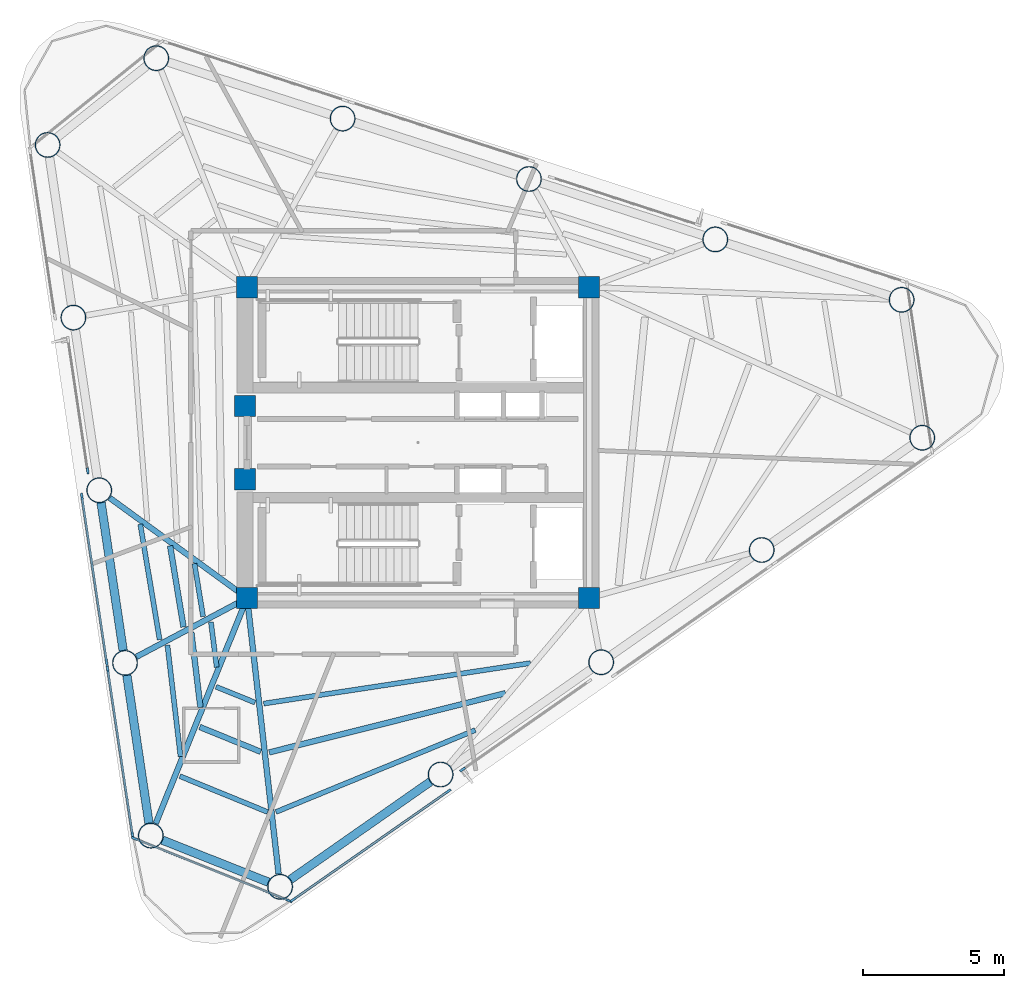
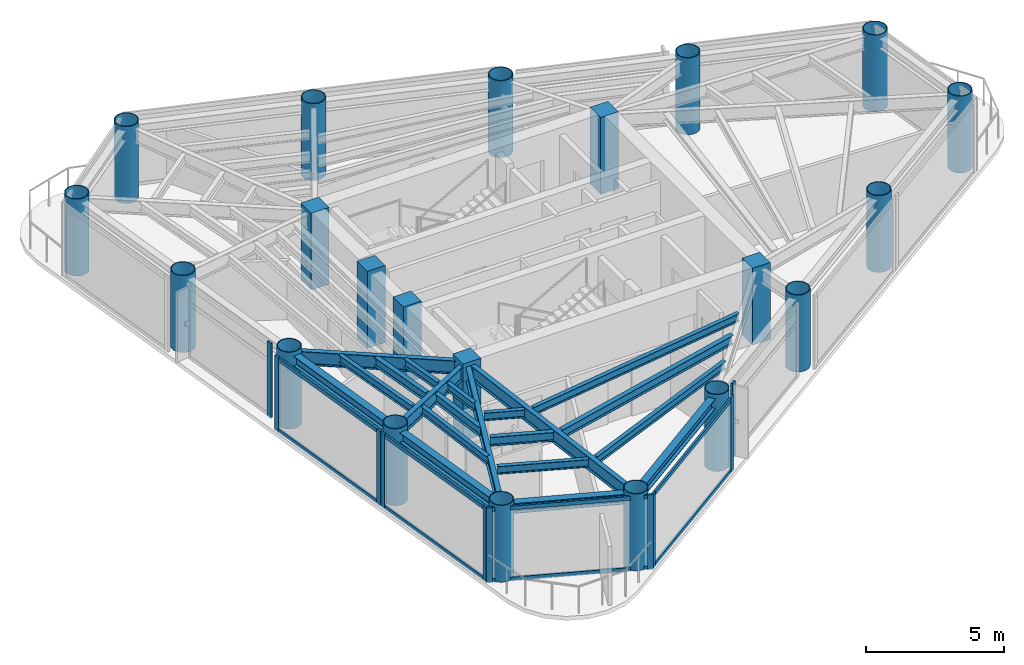
# One storey, part 1 of 9: 21 columns, 20 beams, 18 members, 6 elements without a shape of their own.
"""IFC4 building model written with IfcOpenShell, lengths in metres."""

from ifc_helpers import new_model, si_unit, direction, frame, origin, origin_2d, place, context, subcontext, project, spatial, rectangle, hollow_circle, i_section, extrude, source, transform, mapped, material, layer, layer_set, material_profile, profile_set, type_object, element, aggregate, save


model = new_model("IFC4")

# Units and contexts
model_context = context("Model", 3, precision=1e-05, world=origin(), true_north=direction((0.0, 1.0)))
body_context = subcontext(model_context, "Body", "Model", "MODEL_VIEW")
ifc_project = project(units=[si_unit("LENGTHUNIT", "METRE"), si_unit("AREAUNIT", "SQUARE_METRE"), si_unit("VOLUMEUNIT", "CUBIC_METRE"), si_unit("PLANEANGLEUNIT", "RADIAN"), si_unit("MASSUNIT", "GRAM", prefix="KILO")], contexts=[model_context])

# Site, building, storey
site_placement = place(None, origin())
site = spatial("IfcSite", under=ifc_project, at=site_placement, CompositionType="ELEMENT")
building_placement = place(site_placement, origin())
building = spatial("IfcBuilding", under=site, at=building_placement, Name="Yunling Apex Tower", CompositionType="ELEMENT")
storey_placement = place(building_placement, frame((0.0, 0.0, 271.14990234375)))
storey = spatial("IfcBuildingStorey", under=building, at=storey_placement, Name="L66", CompositionType="ELEMENT", Elevation=271.14990234375)

# Columns
ifc_material_1 = material(Name="Concrete C50", Category="concrete")
ifc_material_profile_1 = material_profile(ifc_material_1, rectangle(XDim=0.75, YDim=0.75, at=origin_2d()))
ifc_profile_set_1 = profile_set([ifc_material_profile_1], Name="Concrete C50")
column_type_1 = type_object("IfcColumnType", Name="PC-SRC-4", PredefinedType="COLUMN", material=ifc_profile_set_1)
shared_shape_1 = source(origin(), body_context, "Body", "SweptSolid", [
    extrude(rectangle(XDim=0.75, YDim=0.75, at=origin_2d()), origin(), (0.0, 0.0, 1.0), 3.400146484375),
])
for number, where, z_axis, x_axis, name in (
    (1, (-6.050048828125, -5.5, 0.0), (0.0, 0.0, 1.0), (1.0, 0.0, 0.0), "L66 Core Spine Column CC-SW"),
    (2, (6.050048828125, -5.5, 0.0), (0.0, 0.0, 1.0), (1.0, 0.0, 0.0), "L66 Core Spine Column CC-SE"),
    (3, (6.050048828125, 5.5, 0.0), (0.0, 0.0, 1.0), (1.0, 0.0, 0.0), "L66 Core Spine Column CC-NE"),
    (4, (-6.050048828125, 5.5, 0.0), (0.0, 0.0, 1.0), (1.0, 0.0, 0.0), "L66 Core Spine Column CC-NW"),
    (5, (-6.125, -1.300048828125, 0.0), (0.0, 0.0, 1.0), (1.0, 0.0, 0.0), "L66 Core West Portal Jamb Column S"),
    (6, (-6.125, 1.300048828125, 0.0), (0.0, 0.0, 1.0), (1.0, 0.0, 0.0), "L66 Core West Portal Jamb Column N"),
):
    element("IfcColumn", number, at=place(storey_placement, frame(where, z_axis=z_axis, x_axis=x_axis)), inside=storey, type_object=column_type_1, Name=name, PredefinedType="COLUMN", context=body_context, shape_type="MappedRepresentation", body=[
        mapped(shared_shape_1, transform((0.0, 0.0, 0.0), scale=1.0)),
    ])
ifc_material_2 = material(Name="Steel Q355B", Category="steel")
ifc_material_profile_2 = material_profile(ifc_material_2, hollow_circle(Radius=0.449951171875, WallThickness=0.031982421875, at=origin_2d()))
ifc_profile_set_2 = profile_set([ifc_material_profile_2], Name="Steel Q355B")
column_type_2 = type_object("IfcColumnType", Name="MC-CFST-6", PredefinedType="COLUMN", material=ifc_profile_set_2)
shared_shape_2 = source(origin(), body_context, "Body", "SweptSolid", [
    extrude(hollow_circle(Radius=0.449951171875, WallThickness=0.031982421875, at=origin_2d()), origin(), (0.0, 0.0, 1.0), 3.400146484375),
])
for number, where, z_axis, x_axis, name in (
    (7, (-4.8837890625, -15.716796875, 0.0), (0.0, 0.0, 1.0), (1.0, 0.0, 0.0), "L66 Perimeter CFST Mega-Column P01"),
    (8, (0.797119140625, -11.744873046875, 0.0), (0.0, 0.0, 1.0), (1.0, 0.0, 0.0), "L66 Perimeter CFST Mega-Column P02"),
    (9, (6.47802734375, -7.77294921875, 0.0), (0.0, 0.0, 1.0), (1.0, 0.0, 0.0), "L66 Perimeter CFST Mega-Column P03"),
    (10, (12.15869140625, -3.801025390625, 0.0), (0.0, 0.0, 1.0), (1.0, 0.0, 0.0), "L66 Perimeter CFST Mega-Column P04"),
    (11, (17.839599609375, 0.1708984375, 0.0), (0.0, 0.0, 1.0), (1.0, 0.0, 0.0), "L66 Perimeter CFST Mega-Column P05"),
    (12, (17.110107421875, 5.052490234375, 0.0), (0.0, 0.0, 1.0), (1.0, 0.0, 0.0), "L66 Perimeter CFST Mega-Column P06"),
    (13, (10.51611328125, 7.18994140625, 0.0), (0.0, 0.0, 1.0), (1.0, 0.0, 0.0), "L66 Perimeter CFST Mega-Column P07"),
    (14, (3.92236328125, 9.327392578125, 0.0), (0.0, 0.0, 1.0), (1.0, 0.0, 0.0), "L66 Perimeter CFST Mega-Column P08"),
    (15, (-2.671630859375, 11.46484375, 0.0), (0.0, 0.0, 1.0), (1.0, 0.0, 0.0), "L66 Perimeter CFST Mega-Column P09"),
    (16, (-9.265625, 13.602294921875, 0.0), (0.0, 0.0, 1.0), (1.0, 0.0, 0.0), "L66 Perimeter CFST Mega-Column P10"),
    (17, (-13.10986328125, 10.532470703125, 0.0), (0.0, 0.0, 1.0), (1.0, 0.0, 0.0), "L66 Perimeter CFST Mega-Column P11"),
    (18, (-12.19677734375, 4.423095703125, 0.0), (0.0, 0.0, 1.0), (1.0, 0.0, 0.0), "L66 Perimeter CFST Mega-Column P12"),
    (19, (-11.28369140625, -1.686279296875, 0.0), (0.0, 0.0, 1.0), (1.0, 0.0, 0.0), "L66 Perimeter CFST Mega-Column P13"),
    (20, (-10.37060546875, -7.7958984375, 0.0), (0.0, 0.0, 1.0), (1.0, 0.0, 0.0), "L66 Perimeter CFST Mega-Column P14"),
    (21, (-9.45751953125, -13.9052734375, 0.0), (0.0, 0.0, 1.0), (1.0, 0.0, 0.0), "L66 Perimeter CFST Mega-Column P15"),
):
    element("IfcColumn", number, at=place(storey_placement, frame(where, z_axis=z_axis, x_axis=x_axis)), inside=storey, type_object=column_type_2, Name=name, PredefinedType="COLUMN", context=body_context, shape_type="MappedRepresentation", body=[
        mapped(shared_shape_2, transform((0.0, 0.0, 0.0), scale=1.0)),
    ])

# Beams
ifc_material_profile_3 = material_profile(ifc_material_2, i_section(OverallWidth=0.300048828125, OverallDepth=0.43994140625, WebThickness=0.010986328125, FlangeThickness=0.01806640625, FilletRadius=0.02197265625, at=origin_2d()))
ifc_profile_set_3 = profile_set([ifc_material_profile_3], Name="Steel Q355B")
beam_type_1 = type_object("IfcBeamType", Name="BP-SPN-3", PredefinedType="SPANDREL", material=ifc_profile_set_3)
shared_shape_3 = source(origin(), body_context, "Body", "SweptSolid", [
    extrude(i_section(OverallWidth=0.300048828125, OverallDepth=0.43994140625, WebThickness=0.010986328125, FlangeThickness=0.01806640625, FilletRadius=0.02197265625, at=origin_2d()), origin(), (0.0, 0.0, 1.0), 6.043701171875),
])
beam_1_placement = place(storey_placement, frame((-4.52001953125, -15.46240234375, 3.0), z_axis=(0.819546828705, 0.5730122124, 0.0), x_axis=(-0.5730122124, 0.819546828705, 0.0)))
element("IfcBeam", 22, at=beam_1_placement, inside=storey, type_object=beam_type_1, Name="L66 Perimeter Spandrel Beam 1", PredefinedType="SPANDREL", context=body_context, shape_type="MappedRepresentation", body=[
    mapped(shared_shape_3, transform((0.0, 0.0, 0.0), scale=1.0)),
])
shared_shape_4 = source(origin(), body_context, "Body", "SweptSolid", [
    extrude(i_section(OverallWidth=0.300048828125, OverallDepth=0.43994140625, WebThickness=0.010986328125, FlangeThickness=0.01806640625, FilletRadius=0.02197265625, at=origin_2d()), origin(), (0.0, 0.0, 1.0), 5.289306640625),
])
for number, where, z_axis, x_axis, name in (
    (23, (-11.218017578125, -2.12548828125, 3.0), (0.147796471114, -0.989017797174, 0.0), (0.989017797174, 0.147796471114, 0.0), "L66 Perimeter Spandrel Beam 13"),
    (24, (-10.304931640625, -8.23486328125, 3.0), (0.147796471114, -0.989017797174, 0.0), (0.989017797174, 0.147796471114, 0.0), "L66 Perimeter Spandrel Beam 14"),
):
    element("IfcBeam", number, at=place(storey_placement, frame(where, z_axis=z_axis, x_axis=x_axis)), inside=storey, type_object=beam_type_1, Name=name, PredefinedType="SPANDREL", context=body_context, shape_type="MappedRepresentation", body=[
        mapped(shared_shape_4, transform((0.0, 0.0, 0.0), scale=1.0)),
    ])
shared_shape_5 = source(origin(), body_context, "Body", "SweptSolid", [
    extrude(i_section(OverallWidth=0.300048828125, OverallDepth=0.43994140625, WebThickness=0.010986328125, FlangeThickness=0.01806640625, FilletRadius=0.02197265625, at=origin_2d()), origin(), (0.0, 0.0, 1.0), 4.03173828125),
])
beam_2_placement = place(storey_placement, frame((-9.044921875, -14.068603515625, 3.0), z_axis=(0.92970771396, -0.368298203368, 0.0), x_axis=(0.368298203368, 0.92970771396, 0.0)))
element("IfcBeam", 25, at=beam_2_placement, inside=storey, type_object=beam_type_1, Name="L66 Perimeter Spandrel Beam 15", PredefinedType="SPANDREL", context=body_context, shape_type="MappedRepresentation", body=[
    mapped(shared_shape_5, transform((0.0, 0.0, 0.0), scale=1.0)),
])
ifc_material_profile_4 = material_profile(ifc_material_2, i_section(OverallWidth=0.199951171875, OverallDepth=0.60009765625, WebThickness=0.010986328125, FlangeThickness=0.01708984375, FilletRadius=0.02197265625, at=origin_2d()))
ifc_profile_set_4 = profile_set([ifc_material_profile_4], Name="Steel Q355B")
beam_type_2 = type_object("IfcBeamType", Name="BG-PRI-5", PredefinedType="USERDEFINED", material=ifc_profile_set_4)
shared_shape_6 = source(origin(), body_context, "Body", "SweptSolid", [
    extrude(i_section(OverallWidth=0.199951171875, OverallDepth=0.60009765625, WebThickness=0.010986328125, FlangeThickness=0.01708984375, FilletRadius=0.02197265625, at=origin_2d()), origin(), (0.0, 0.0, 1.0), 9.745361328125),
])
beam_3_placement = place(storey_placement, frame((-4.935791015625, -15.261962890625, 2.920166015625), z_axis=(-0.11341163891, 0.993548086486, 0.0), x_axis=(-0.993548086486, -0.11341163891, 0.0)))
element("IfcBeam", 26, at=beam_3_placement, inside=storey, type_object=beam_type_2, Name="L66 Radial Primary Girder R01", ObjectType="GIRDER", PredefinedType="USERDEFINED", context=body_context, shape_type="MappedRepresentation", body=[
    mapped(shared_shape_6, transform((0.0, 0.0, 0.0), scale=1.0)),
])
shared_shape_7 = source(origin(), body_context, "Body", "SweptSolid", [
    extrude(i_section(OverallWidth=0.199951171875, OverallDepth=0.60009765625, WebThickness=0.010986328125, FlangeThickness=0.01708984375, FilletRadius=0.02197265625, at=origin_2d()), origin(), (0.0, 0.0, 1.0), 5.937744140625),
])
beam_4_placement = place(storey_placement, frame((-10.91357421875, -1.9560546875, 2.920166015625), z_axis=(0.808193442209, -0.588917107894, 0.0), x_axis=(0.588917107894, 0.808193442209, 0.0)))
element("IfcBeam", 27, at=beam_4_placement, inside=storey, type_object=beam_type_2, Name="L66 Radial Primary Girder R13", ObjectType="GIRDER", PredefinedType="USERDEFINED", context=body_context, shape_type="MappedRepresentation", body=[
    mapped(shared_shape_7, transform((0.0, 0.0, 0.0), scale=1.0)),
])
shared_shape_8 = source(origin(), body_context, "Body", "SweptSolid", [
    extrude(i_section(OverallWidth=0.199951171875, OverallDepth=0.60009765625, WebThickness=0.010986328125, FlangeThickness=0.01708984375, FilletRadius=0.02197265625, at=origin_2d()), origin(), (0.0, 0.0, 1.0), 4.354736328125),
])
beam_5_placement = place(storey_placement, frame((-9.96630859375, -7.580810546875, 2.920166015625), z_axis=(0.883098298021, 0.469188017784, 0.0), x_axis=(-0.469188017784, 0.883098298021, 0.0)))
element("IfcBeam", 28, at=beam_5_placement, inside=storey, type_object=beam_type_2, Name="L66 Radial Primary Girder R14", ObjectType="GIRDER", PredefinedType="USERDEFINED", context=body_context, shape_type="MappedRepresentation", body=[
    mapped(shared_shape_8, transform((0.0, 0.0, 0.0), scale=1.0)),
])
shared_shape_9 = source(origin(), body_context, "Body", "SweptSolid", [
    extrude(i_section(OverallWidth=0.199951171875, OverallDepth=0.60009765625, WebThickness=0.010986328125, FlangeThickness=0.01708984375, FilletRadius=0.02197265625, at=origin_2d()), origin(), (0.0, 0.0, 1.0), 8.531494140625),
])
beam_6_placement = place(storey_placement, frame((-9.285400390625, -13.480712890625, 2.920166015625), z_axis=(0.375703780252, 0.926739806798, 0.0), x_axis=(-0.926739806798, 0.375703780252, 0.0)))
element("IfcBeam", 29, at=beam_6_placement, inside=storey, type_object=beam_type_2, Name="L66 Radial Primary Girder R15", ObjectType="GIRDER", PredefinedType="USERDEFINED", context=body_context, shape_type="MappedRepresentation", body=[
    mapped(shared_shape_9, transform((0.0, 0.0, 0.0), scale=1.0)),
])
ifc_material_profile_5 = material_profile(ifc_material_2, i_section(OverallWidth=0.199951171875, OverallDepth=0.39990234375, WebThickness=0.008056640625, FlangeThickness=0.012939453125, FilletRadius=0.01611328125, at=origin_2d()))
ifc_profile_set_5 = profile_set([ifc_material_profile_5], Name="Steel Q355B")
beam_type_3 = type_object("IfcBeamType", Name="BS-SEC-4", PredefinedType="BEAM", material=ifc_profile_set_5)
shared_shape_10 = source(origin(), body_context, "Body", "SweptSolid", [
    extrude(i_section(OverallWidth=0.199951171875, OverallDepth=0.39990234375, WebThickness=0.008056640625, FlangeThickness=0.012939453125, FilletRadius=0.01611328125, at=origin_2d()), origin(), (0.0, 0.0, 1.0), 8.62109375),
])
beam_7_placement = place(storey_placement, frame((-5.266845703125, -10.962646484375, 3.02001953125), z_axis=(0.96999740229, 0.243115280374, 0.0), x_axis=(-0.243115280374, 0.96999740229, 0.0)))
element("IfcBeam", 30, at=beam_7_placement, inside=storey, type_object=beam_type_3, Name="L66 Composite Floor Beam BS-1", PredefinedType="BEAM", context=body_context, shape_type="MappedRepresentation", body=[
    mapped(shared_shape_10, transform((0.0, 0.0, 0.0), scale=1.0)),
])
ifc_material_profile_6 = material_profile(ifc_material_2, i_section(OverallWidth=0.175048828125, OverallDepth=0.35009765625, WebThickness=0.007080078125, FlangeThickness=0.010986328125, FilletRadius=0.013916015625, at=origin_2d()))
ifc_profile_set_6 = profile_set([ifc_material_profile_6], Name="Steel Q355B")
beam_type_4 = type_object("IfcBeamType", Name="BJ-JST-1", PredefinedType="JOIST", material=ifc_profile_set_6)
shared_shape_11 = source(origin(), body_context, "Body", "SweptSolid", [
    extrude(i_section(OverallWidth=0.175048828125, OverallDepth=0.35009765625, WebThickness=0.007080078125, FlangeThickness=0.010986328125, FilletRadius=0.013916015625, at=origin_2d()), origin(), (0.0, 0.0, 1.0), 7.626953125),
])
beam_8_placement = place(storey_placement, frame((-5.031005859375, -13.071044921875, 3.045166015625), z_axis=(0.924936429691, 0.380121823934, 0.0), x_axis=(-0.380121823934, 0.924936429691, 0.0)))
element("IfcBeam", 31, at=beam_8_placement, inside=storey, type_object=beam_type_4, Name="L66 Composite Floor Joist BJ1-1", PredefinedType="JOIST", context=body_context, shape_type="MappedRepresentation", body=[
    mapped(shared_shape_11, transform((0.0, 0.0, 0.0), scale=1.0)),
])
shared_shape_12 = source(origin(), body_context, "Body", "SweptSolid", [
    extrude(i_section(OverallWidth=0.175048828125, OverallDepth=0.35009765625, WebThickness=0.007080078125, FlangeThickness=0.010986328125, FilletRadius=0.013916015625, at=origin_2d()), origin(), (0.0, 0.0, 1.0), 9.546630859375),
])
beam_9_placement = place(storey_placement, frame((-5.462646484375, -9.23486328125, 3.045166015625), z_axis=(0.988668394837, 0.150115972004, 0.0), x_axis=(-0.150115972004, 0.988668394837, 0.0)))
element("IfcBeam", 32, at=beam_9_placement, inside=storey, type_object=beam_type_4, Name="L66 Composite Floor Joist BJ3-1", PredefinedType="JOIST", context=body_context, shape_type="MappedRepresentation", body=[
    mapped(shared_shape_12, transform((0.0, 0.0, 0.0), scale=1.0)),
])
shared_shape_13 = source(origin(), body_context, "Body", "SweptSolid", [
    extrude(i_section(OverallWidth=0.199951171875, OverallDepth=0.39990234375, WebThickness=0.008056640625, FlangeThickness=0.012939453125, FilletRadius=0.01611328125, at=origin_2d()), origin(), (0.0, 0.0, 1.0), 2.910400390625),
])
beam_10_placement = place(storey_placement, frame((-8.77587890625, -3.652587890625, 3.02001953125), z_axis=(0.163405899616, -0.986558924733, 0.0), x_axis=(0.986558924733, 0.163405899616, 0.0)))
element("IfcBeam", 33, at=beam_10_placement, inside=storey, type_object=beam_type_3, Name="L66 Composite Floor Beam BS-13", PredefinedType="BEAM", context=body_context, shape_type="MappedRepresentation", body=[
    mapped(shared_shape_13, transform((0.0, 0.0, 0.0), scale=1.0)),
])
shared_shape_14 = source(origin(), body_context, "Body", "SweptSolid", [
    extrude(i_section(OverallWidth=0.175048828125, OverallDepth=0.35009765625, WebThickness=0.007080078125, FlangeThickness=0.010986328125, FilletRadius=0.013916015625, at=origin_2d()), origin(), (0.0, 0.0, 1.0), 4.14697265625),
])
beam_11_placement = place(storey_placement, frame((-9.831298828125, -2.88330078125, 3.045166015625), z_axis=(0.165134037528, -0.986271133943, 0.0), x_axis=(0.986271133943, 0.165134037528, 0.0)))
element("IfcBeam", 34, at=beam_11_placement, inside=storey, type_object=beam_type_4, Name="L66 Composite Floor Joist BJ1-13", PredefinedType="JOIST", context=body_context, shape_type="MappedRepresentation", body=[
    mapped(shared_shape_14, transform((0.0, 0.0, 0.0), scale=1.0)),
])
shared_shape_15 = source(origin(), body_context, "Body", "SweptSolid", [
    extrude(i_section(OverallWidth=0.175048828125, OverallDepth=0.35009765625, WebThickness=0.007080078125, FlangeThickness=0.010986328125, FilletRadius=0.013916015625, at=origin_2d()), origin(), (0.0, 0.0, 1.0), 1.898681640625),
])
beam_12_placement = place(storey_placement, frame((-7.91259765625, -4.281982421875, 3.045166015625), z_axis=(0.160602772894, -0.987019123087, 0.0), x_axis=(0.987019123087, 0.160602772894, 0.0)))
element("IfcBeam", 35, at=beam_12_placement, inside=storey, type_object=beam_type_4, Name="L66 Composite Floor Joist BJ3-13", PredefinedType="JOIST", context=body_context, shape_type="MappedRepresentation", body=[
    mapped(shared_shape_15, transform((0.0, 0.0, 0.0), scale=1.0)),
])
shared_shape_16 = source(origin(), body_context, "Body", "SweptSolid", [
    extrude(i_section(OverallWidth=0.199951171875, OverallDepth=0.39990234375, WebThickness=0.008056640625, FlangeThickness=0.012939453125, FilletRadius=0.01611328125, at=origin_2d()), origin(), (0.0, 0.0, 1.0), 2.670166015625),
])
beam_13_placement = place(storey_placement, frame((-8.024169921875, -6.718017578125, 3.02001953125), z_axis=(0.12060169382, -0.992700977862, 0.0), x_axis=(0.992700977862, 0.12060169382, 0.0)))
element("IfcBeam", 36, at=beam_13_placement, inside=storey, type_object=beam_type_3, Name="L66 Composite Floor Beam BS-14", PredefinedType="BEAM", context=body_context, shape_type="MappedRepresentation", body=[
    mapped(shared_shape_16, transform((0.0, 0.0, 0.0), scale=1.0)),
])
shared_shape_17 = source(origin(), body_context, "Body", "SweptSolid", [
    extrude(i_section(OverallWidth=0.175048828125, OverallDepth=0.35009765625, WebThickness=0.007080078125, FlangeThickness=0.010986328125, FilletRadius=0.013916015625, at=origin_2d()), origin(), (0.0, 0.0, 1.0), 3.96728515625),
])
beam_14_placement = place(storey_placement, frame((-8.87060546875, -7.167724609375, 3.045166015625), z_axis=(0.116919795798, -0.993141360205, 0.0), x_axis=(0.993141360205, 0.116919795798, 0.0)))
element("IfcBeam", 37, at=beam_14_placement, inside=storey, type_object=beam_type_4, Name="L66 Composite Floor Joist BJ1-14", PredefinedType="JOIST", context=body_context, shape_type="MappedRepresentation", body=[
    mapped(shared_shape_17, transform((0.0, 0.0, 0.0), scale=1.0)),
])
shared_shape_18 = source(origin(), body_context, "Body", "SweptSolid", [
    extrude(i_section(OverallWidth=0.175048828125, OverallDepth=0.35009765625, WebThickness=0.007080078125, FlangeThickness=0.010986328125, FilletRadius=0.013916015625, at=origin_2d()), origin(), (0.0, 0.0, 1.0), 1.608642578125),
])
beam_15_placement = place(storey_placement, frame((-7.330810546875, -6.35009765625, 3.045166015625), z_axis=(0.12719111786, -0.99187822818, 0.0), x_axis=(0.99187822818, 0.12719111786, 0.0)))
element("IfcBeam", 38, at=beam_15_placement, inside=storey, type_object=beam_type_4, Name="L66 Composite Floor Joist BJ3-14", PredefinedType="JOIST", context=body_context, shape_type="MappedRepresentation", body=[
    mapped(shared_shape_18, transform((0.0, 0.0, 0.0), scale=1.0)),
])
shared_shape_19 = source(origin(), body_context, "Body", "SweptSolid", [
    extrude(i_section(OverallWidth=0.199951171875, OverallDepth=0.39990234375, WebThickness=0.008056640625, FlangeThickness=0.012939453125, FilletRadius=0.01611328125, at=origin_2d()), origin(), (0.0, 0.0, 1.0), 2.3291015625),
])
beam_16_placement = place(storey_placement, frame((-7.72705078125, -10.062255859375, 3.02001953125), z_axis=(0.926020445617, -0.377473355747, 0.0), x_axis=(0.377473355747, 0.926020445617, 0.0)))
element("IfcBeam", 39, at=beam_16_placement, inside=storey, type_object=beam_type_3, Name="L66 Composite Floor Beam BS-15", PredefinedType="BEAM", context=body_context, shape_type="MappedRepresentation", body=[
    mapped(shared_shape_19, transform((0.0, 0.0, 0.0), scale=1.0)),
])
shared_shape_20 = source(origin(), body_context, "Body", "SweptSolid", [
    extrude(i_section(OverallWidth=0.175048828125, OverallDepth=0.35009765625, WebThickness=0.007080078125, FlangeThickness=0.010986328125, FilletRadius=0.013916015625, at=origin_2d()), origin(), (0.0, 0.0, 1.0), 3.354736328125),
])
beam_17_placement = place(storey_placement, frame((-8.43212890625, -11.802001953125, 3.045166015625), z_axis=(0.925654732165, -0.378369286306, 0.0), x_axis=(0.378369286306, 0.925654732165, 0.0)))
element("IfcBeam", 40, at=beam_17_placement, inside=storey, type_object=beam_type_4, Name="L66 Composite Floor Joist BJ1-15", PredefinedType="JOIST", context=body_context, shape_type="MappedRepresentation", body=[
    mapped(shared_shape_20, transform((0.0, 0.0, 0.0), scale=1.0)),
])
shared_shape_21 = source(origin(), body_context, "Body", "SweptSolid", [
    extrude(i_section(OverallWidth=0.175048828125, OverallDepth=0.35009765625, WebThickness=0.007080078125, FlangeThickness=0.010986328125, FilletRadius=0.013916015625, at=origin_2d()), origin(), (0.0, 0.0, 1.0), 1.48974609375),
])
beam_18_placement = place(storey_placement, frame((-7.14990234375, -8.638916015625, 3.045166015625), z_axis=(0.926714592409, -0.375765970008, 0.0), x_axis=(0.375765970008, 0.926714592409, 0.0)))
element("IfcBeam", 41, at=beam_18_placement, inside=storey, type_object=beam_type_4, Name="L66 Composite Floor Joist BJ3-15", PredefinedType="JOIST", context=body_context, shape_type="MappedRepresentation", body=[
    mapped(shared_shape_21, transform((0.0, 0.0, 0.0), scale=1.0)),
])

# Curtain wall, members
ifc_material_3 = material(Name="Bronze anodised aluminium", Category="aluminium")
ifc_layer = layer(ifc_material_3, 0.219970703125)
ifc_layer_set = layer_set([ifc_layer], Name="Bronze anodised aluminium")
curtain_wall_type = type_object("IfcCurtainWallType", Name="CW-SYS-4", PredefinedType="NOTDEFINED", material=ifc_layer_set)
curtain_wall_1_placement = place(storey_placement, origin())
curtain_wall_1 = element("IfcCurtainWall", 42, at=curtain_wall_1_placement, inside=storey, type_object=curtain_wall_type, Name="CW-L66-F1-B1", PredefinedType="NOTDEFINED")
ifc_material_profile_7 = material_profile(ifc_material_3, rectangle(XDim=0.080078125, YDim=0.219970703125, at=origin_2d()))
ifc_profile_set_7 = profile_set([ifc_material_profile_7], Name="Bronze anodised aluminium")
member_type_1 = type_object("IfcMemberType", Name="CW-MUL-4", PredefinedType="MULLION", material=ifc_profile_set_7)
shared_shape_22 = source(origin(), body_context, "Body", "SweptSolid", [
    extrude(rectangle(XDim=0.080078125, YDim=0.219970703125, at=origin_2d()), origin(), (0.0, 0.0, 1.0), 3.31982421875),
])
member_1_placement = place(storey_placement, frame((-4.418701171875, -16.172607421875, -0.0498046875), z_axis=(0.0, 0.0, 1.0), x_axis=(-0.573000403744, 0.819555084976, 0.0)))
member_1 = element("IfcMember", 43, at=member_1_placement, type_object=member_type_1, Name="CW-SYS-4 mullion 1", PredefinedType="MULLION", context=body_context, shape_type="MappedRepresentation", body=[
    mapped(shared_shape_22, transform((0.0, 0.0, 0.0), scale=1.0)),
])
member_2_placement = place(storey_placement, frame((1.0654296875, -12.338134765625, -0.0498046875), z_axis=(0.0, 0.0, 1.0), x_axis=(-0.573000403744, 0.819555084976, 0.0)))
member_2 = element("IfcMember", 44, at=member_2_placement, type_object=member_type_1, Name="CW-SYS-4 mullion 2", PredefinedType="MULLION", context=body_context, shape_type="MappedRepresentation", body=[
    mapped(shared_shape_22, transform((0.0, 0.0, 0.0), scale=1.0)),
])

# Curtain wall, member
curtain_wall_2_placement = place(storey_placement, origin())
curtain_wall_2 = element("IfcCurtainWall", 45, at=curtain_wall_2_placement, inside=storey, type_object=curtain_wall_type, Name="CW-L66-F1-B2", PredefinedType="NOTDEFINED")
member_3_placement = place(storey_placement, frame((1.575439453125, -11.56689453125, -0.0498046875), z_axis=(0.0, 0.0, 1.0), x_axis=(-0.57299879219, 0.819556211708, 0.0)))
member_3 = element("IfcMember", 46, at=member_3_placement, type_object=member_type_1, Name="CW-SYS-4 mullion 1", PredefinedType="MULLION", context=body_context, shape_type="MappedRepresentation", body=[
    mapped(shared_shape_22, transform((0.0, 0.0, 0.0), scale=1.0)),
])
aggregate(curtain_wall_2, [member_3])

curtain_wall_3_placement = place(storey_placement, origin())
curtain_wall_3 = element("IfcCurtainWall", 47, at=curtain_wall_3_placement, inside=storey, type_object=curtain_wall_type, Name="CW-L66-F3-B2", PredefinedType="NOTDEFINED")
member_4_placement = place(storey_placement, frame((-11.689697265625, -0.998779296875, -0.0498046875), z_axis=(0.0, 0.0, 1.0), x_axis=(0.989016661745, 0.147804068926, 0.0)))
member_4 = element("IfcMember", 48, at=member_4_placement, type_object=member_type_1, Name="CW-SYS-4 mullion 2", PredefinedType="MULLION", context=body_context, shape_type="MappedRepresentation", body=[
    mapped(shared_shape_22, transform((0.0, 0.0, 0.0), scale=1.0)),
])
aggregate(curtain_wall_3, [member_4])

# Curtain wall, members
curtain_wall_4_placement = place(storey_placement, origin())
curtain_wall_4 = element("IfcCurtainWall", 49, at=curtain_wall_4_placement, inside=storey, type_object=curtain_wall_type, Name="CW-L66-F3-B3", PredefinedType="NOTDEFINED")
member_5_placement = place(storey_placement, frame((-11.89892578125, -1.899658203125, -0.0498046875), z_axis=(0.0, 0.0, 1.0), x_axis=(0.989016174309, 0.147807330522, 0.0)))
member_5 = element("IfcMember", 50, at=member_5_placement, type_object=member_type_1, Name="CW-SYS-4 mullion 1", PredefinedType="MULLION", context=body_context, shape_type="MappedRepresentation", body=[
    mapped(shared_shape_22, transform((0.0, 0.0, 0.0), scale=1.0)),
])
member_6_placement = place(storey_placement, frame((-11.021240234375, -7.771728515625, -0.0498046875), z_axis=(0.0, 0.0, 1.0), x_axis=(0.989016174309, 0.147807330522, 0.0)))
member_6 = element("IfcMember", 51, at=member_6_placement, type_object=member_type_1, Name="CW-SYS-4 mullion 2", PredefinedType="MULLION", context=body_context, shape_type="MappedRepresentation", body=[
    mapped(shared_shape_22, transform((0.0, 0.0, 0.0), scale=1.0)),
])

curtain_wall_5_placement = place(storey_placement, origin())
curtain_wall_5 = element("IfcCurtainWall", 52, at=curtain_wall_5_placement, inside=storey, type_object=curtain_wall_type, Name="CW-L66-F3-B4", PredefinedType="NOTDEFINED")
member_7_placement = place(storey_placement, frame((-10.98583984375, -8.009033203125, -0.0498046875), z_axis=(0.0, 0.0, 1.0), x_axis=(0.989018603576, 0.147791074763, 0.0)))
member_7 = element("IfcMember", 53, at=member_7_placement, type_object=member_type_1, Name="CW-SYS-4 mullion 1", PredefinedType="MULLION", context=body_context, shape_type="MappedRepresentation", body=[
    mapped(shared_shape_22, transform((0.0, 0.0, 0.0), scale=1.0)),
])
member_8_placement = place(storey_placement, frame((-10.1083984375, -13.881103515625, -0.0498046875), z_axis=(0.0, 0.0, 1.0), x_axis=(0.989018603576, 0.147791074763, 0.0)))
member_8 = element("IfcMember", 54, at=member_8_placement, type_object=member_type_1, Name="CW-SYS-4 mullion 2", PredefinedType="MULLION", context=body_context, shape_type="MappedRepresentation", body=[
    mapped(shared_shape_22, transform((0.0, 0.0, 0.0), scale=1.0)),
])

curtain_wall_6_placement = place(storey_placement, origin())
curtain_wall_6 = element("IfcCurtainWall", 55, at=curtain_wall_6_placement, inside=storey, type_object=curtain_wall_type, Name="CW-L66-CRN3", PredefinedType="NOTDEFINED")
member_9_placement = place(storey_placement, frame((-10.03369140625, -14.01171875, -0.0498046875), z_axis=(0.0, 0.0, 1.0), x_axis=(0.373009384078, 0.927827569859, 0.0)))
member_9 = element("IfcMember", 56, at=member_9_placement, type_object=member_type_1, Name="CW-SYS-4 mullion 1", PredefinedType="MULLION", context=body_context, shape_type="MappedRepresentation", body=[
    mapped(shared_shape_22, transform((0.0, 0.0, 0.0), scale=1.0)),
])
member_10_placement = place(storey_placement, frame((-4.565673828125, -16.2099609375, -0.0498046875), z_axis=(0.0, 0.0, 1.0), x_axis=(0.373009384078, 0.927827569859, 0.0)))
member_10 = element("IfcMember", 57, at=member_10_placement, type_object=member_type_1, Name="CW-SYS-4 mullion 2", PredefinedType="MULLION", context=body_context, shape_type="MappedRepresentation", body=[
    mapped(shared_shape_22, transform((0.0, 0.0, 0.0), scale=1.0)),
])

# Member
ifc_material_profile_8 = material_profile(ifc_material_3, rectangle(XDim=0.080078125, YDim=0.169921875, at=origin_2d()))
ifc_profile_set_8 = profile_set([ifc_material_profile_8], Name="Bronze anodised aluminium")
member_type_2 = type_object("IfcMemberType", Name="CW-TRN-4", PredefinedType="USERDEFINED", material=ifc_profile_set_8)
shared_shape_23 = source(origin(), body_context, "Body", "SweptSolid", [
    extrude(rectangle(XDim=0.080078125, YDim=0.169921875, at=origin_2d()), origin(), (0.0, 0.0, 1.0), 6.61962890625),
])
member_11_placement = place(storey_placement, frame((-4.389404296875, -16.15185546875, 0.0400390625), z_axis=(0.819567916002, 0.572982051255, 0.0), x_axis=(-0.572982051255, 0.819567916002, 0.0)))
member_11 = element("IfcMember", 58, at=member_11_placement, type_object=member_type_2, Name="CW-SYS-4 transom 1.1", ObjectType="TRANSOM", PredefinedType="USERDEFINED", context=body_context, shape_type="MappedRepresentation", body=[
    mapped(shared_shape_23, transform((0.0, 0.0, 0.0), scale=1.0)),
])

member_12_placement = place(storey_placement, frame((-4.389404296875, -16.15185546875, 3.18017578125), z_axis=(0.819567916002, 0.572982051255, 0.0), x_axis=(-0.572982051255, 0.819567916002, 0.0)))
member_12 = element("IfcMember", 59, at=member_12_placement, type_object=member_type_2, Name="CW-SYS-4 transom 1.2", ObjectType="TRANSOM", PredefinedType="USERDEFINED", context=body_context, shape_type="MappedRepresentation", body=[
    mapped(shared_shape_23, transform((0.0, 0.0, 0.0), scale=1.0)),
])

aggregate(curtain_wall_1, [member_1, member_2, member_11, member_12])

shared_shape_24 = source(origin(), body_context, "Body", "SweptSolid", [
    extrude(rectangle(XDim=0.080078125, YDim=0.169921875, at=origin_2d()), origin(), (0.0, 0.0, 1.0), 5.8212890625),
])
member_13_placement = place(storey_placement, frame((-10.000244140625, -14.025146484375, 0.0400390625), z_axis=(0.927827385224, -0.373009843339, 0.0), x_axis=(0.373009843339, 0.927827385224, 0.0)))
member_13 = element("IfcMember", 60, at=member_13_placement, type_object=member_type_2, Name="CW-SYS-4 transom 1.1", ObjectType="TRANSOM", PredefinedType="USERDEFINED", context=body_context, shape_type="MappedRepresentation", body=[
    mapped(shared_shape_24, transform((0.0, 0.0, 0.0), scale=1.0)),
])

member_14_placement = place(storey_placement, frame((-10.000244140625, -14.025146484375, 3.18017578125), z_axis=(0.927827385224, -0.373009843339, 0.0), x_axis=(0.373009843339, 0.927827385224, 0.0)))
member_14 = element("IfcMember", 61, at=member_14_placement, type_object=member_type_2, Name="CW-SYS-4 transom 1.2", ObjectType="TRANSOM", PredefinedType="USERDEFINED", context=body_context, shape_type="MappedRepresentation", body=[
    mapped(shared_shape_24, transform((0.0, 0.0, 0.0), scale=1.0)),
])

aggregate(curtain_wall_6, [member_9, member_10, member_13, member_14])

shared_shape_25 = source(origin(), body_context, "Body", "SweptSolid", [
    extrude(rectangle(XDim=0.080078125, YDim=0.169921875, at=origin_2d()), origin(), (0.0, 0.0, 1.0), 5.865234375),
])
member_15_placement = place(storey_placement, frame((-11.8935546875, -1.935302734375, 0.0400390625), z_axis=(0.147811211092, -0.989015594354, 0.0), x_axis=(0.989015594354, 0.147811211092, 0.0)))
member_15 = element("IfcMember", 62, at=member_15_placement, type_object=member_type_2, Name="CW-SYS-4 transom 1.1", ObjectType="TRANSOM", PredefinedType="USERDEFINED", context=body_context, shape_type="MappedRepresentation", body=[
    mapped(shared_shape_25, transform((0.0, 0.0, 0.0), scale=1.0)),
])

member_16_placement = place(storey_placement, frame((-11.8935546875, -1.935302734375, 3.18017578125), z_axis=(0.147811211092, -0.989015594354, 0.0), x_axis=(0.989015594354, 0.147811211092, 0.0)))
member_16 = element("IfcMember", 63, at=member_16_placement, type_object=member_type_2, Name="CW-SYS-4 transom 1.2", ObjectType="TRANSOM", PredefinedType="USERDEFINED", context=body_context, shape_type="MappedRepresentation", body=[
    mapped(shared_shape_25, transform((0.0, 0.0, 0.0), scale=1.0)),
])

aggregate(curtain_wall_4, [member_5, member_6, member_15, member_16])

member_17_placement = place(storey_placement, frame((-10.98046875, -8.044677734375, 0.0400390625), z_axis=(0.147811211092, -0.989015594354, 0.0), x_axis=(0.989015594354, 0.147811211092, 0.0)))
member_17 = element("IfcMember", 64, at=member_17_placement, type_object=member_type_2, Name="CW-SYS-4 transom 1.1", ObjectType="TRANSOM", PredefinedType="USERDEFINED", context=body_context, shape_type="MappedRepresentation", body=[
    mapped(shared_shape_25, transform((0.0, 0.0, 0.0), scale=1.0)),
])

member_18_placement = place(storey_placement, frame((-10.98046875, -8.044677734375, 3.18017578125), z_axis=(0.147811211092, -0.989015594354, 0.0), x_axis=(0.989015594354, 0.147811211092, 0.0)))
member_18 = element("IfcMember", 65, at=member_18_placement, type_object=member_type_2, Name="CW-SYS-4 transom 1.2", ObjectType="TRANSOM", PredefinedType="USERDEFINED", context=body_context, shape_type="MappedRepresentation", body=[
    mapped(shared_shape_25, transform((0.0, 0.0, 0.0), scale=1.0)),
])

aggregate(curtain_wall_5, [member_7, member_8, member_17, member_18])

save(model, "model.ifc")
